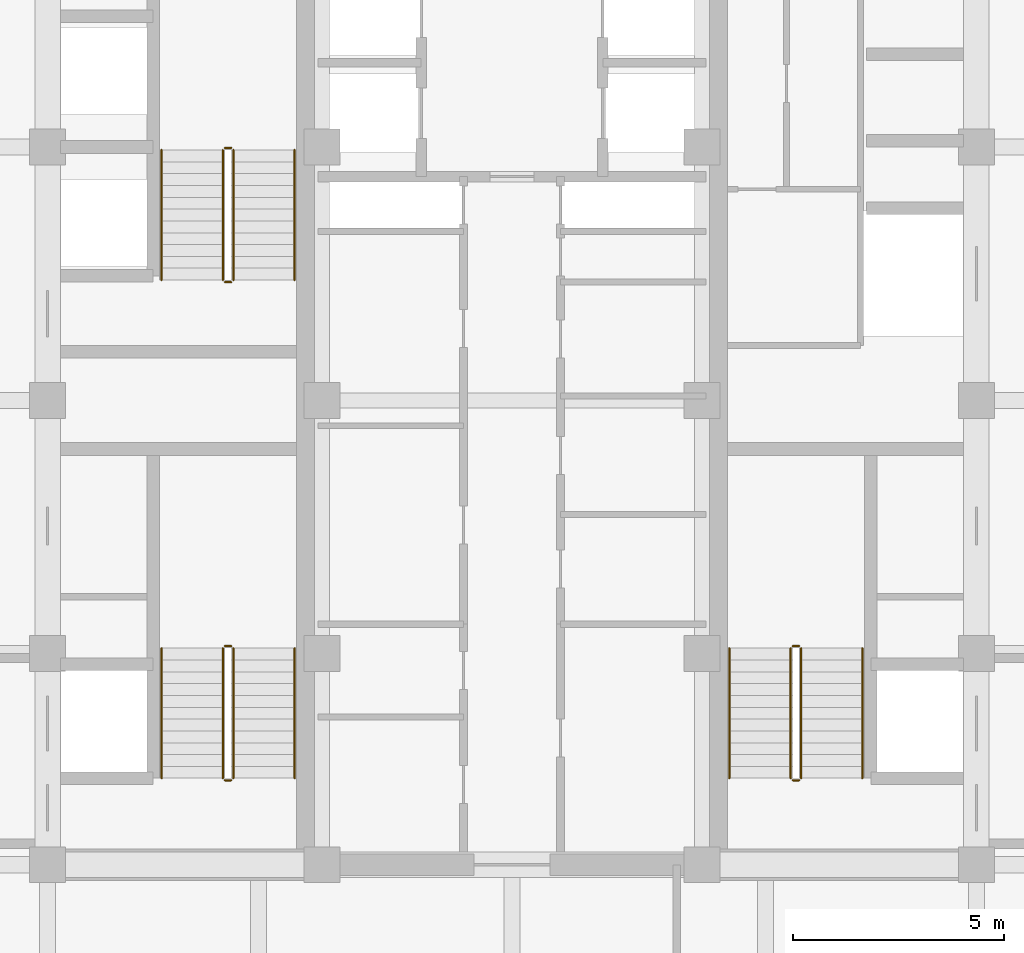
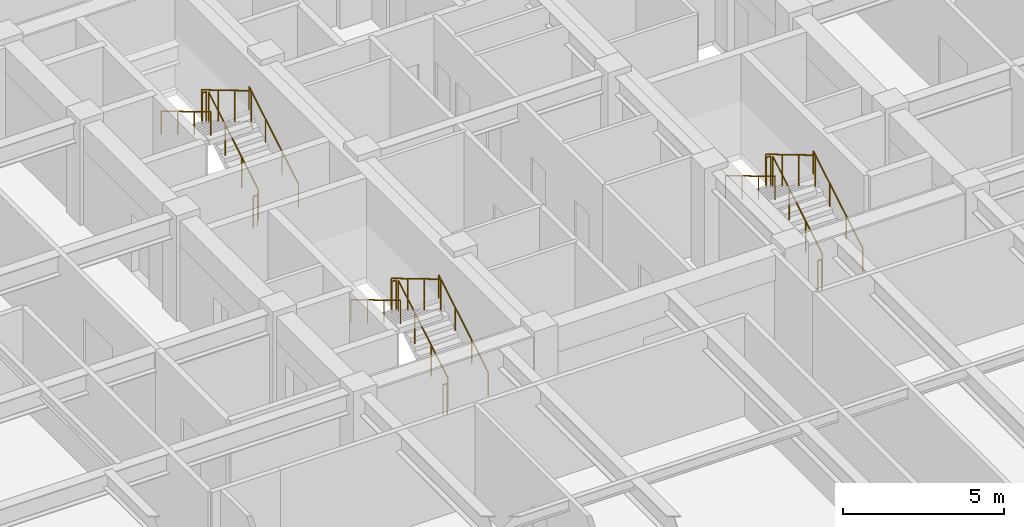
# One storey, part 24 of 24: 18 railings.
"""IFC4 building model written with IfcOpenShell, lengths in metres."""

from ifc_helpers import new_model, si_unit, direction, frame, origin, origin_2d, place, context, subcontext, project, spatial, circle, extrude, source, transform, mapped, material, type_object, element, save


model = new_model("IFC4")

# Units and contexts
model_context = context("Model", 3, precision=1e-05, world=origin(), true_north=direction((0.0, 1.0)))
body_context = subcontext(model_context, "Body", "Model", "MODEL_VIEW")
ifc_project = project(units=[si_unit("LENGTHUNIT", "METRE"), si_unit("AREAUNIT", "SQUARE_METRE"), si_unit("VOLUMEUNIT", "CUBIC_METRE"), si_unit("PLANEANGLEUNIT", "RADIAN"), si_unit("MASSUNIT", "GRAM", prefix="KILO")], contexts=[model_context])

# Site, building, storey
site_placement = place(None, origin())
site = spatial("IfcSite", under=ifc_project, at=site_placement, CompositionType="ELEMENT")
building_placement = place(site_placement, origin())
building = spatial("IfcBuilding", under=site, at=building_placement, Name="Khorayat Bourse Tower", CompositionType="ELEMENT")
storey_placement = place(building_placement, frame((0.0, 0.0, 203.10009765625)))
storey = spatial("IfcBuildingStorey", under=building, at=storey_placement, Name="L47", CompositionType="ELEMENT", Elevation=203.10009765625)

# Railings
ifc_material_1 = material(Name="Powder-coated steel balustrade", Category="steel")
railing_type_1 = type_object("IfcRailingType", Name="RLG-GUARD-1200", PredefinedType="GUARDRAIL", material=ifc_material_1)
shared_shape_1 = source(origin(), body_context, "Body", "SweptSolid", [
    extrude(circle(Radius=0.02392578125, at=origin_2d()), frame((0.0, 0.0, 1.17578125), z_axis=(-1.0, 0.0, 0.0), x_axis=(0.0, -1.0, 0.0)), (0.0, 0.0, 1.0), 0.150146484375),
    extrude(circle(Radius=0.02099609375, at=origin_2d()), origin(), (0.0, 0.0, 1.0), 1.15185546875),
    extrude(circle(Radius=0.02099609375, at=origin_2d()), frame((-0.150146484375, 0.0, 0.0)), (0.0, 0.0, 1.0), 1.15185546875),
])
for number, where, name in (
    (1, (-6.64990234375, -5.820068359375, 2.0), "L47 ST-1 stair guard 2"),
    (2, (-6.64990234375, -9.0, 0.0), "L47 ST-1 stair guard 4"),
    (3, (-6.64990234375, 5.97998046875, 2.0), "L47 ST-2 stair guard 2"),
    (4, (-6.64990234375, 2.800048828125, 0.0), "L47 ST-2 stair guard 4"),
    (5, (6.800048828125, -5.820068359375, 2.0), "L47 ST-3 stair guard 2"),
    (6, (6.800048828125, -9.0, 0.0), "L47 ST-3 stair guard 4"),
):
    element("IfcRailing", number, at=place(storey_placement, frame(where)), inside=storey, type_object=railing_type_1, Name=name, PredefinedType="GUARDRAIL", context=body_context, shape_type="MappedRepresentation", body=[
        mapped(shared_shape_1, transform((0.0, 0.0, 0.0), scale=1.0)),
    ])
shared_shape_2 = source(origin(), body_context, "Body", "SweptSolid", [
    extrude(circle(Radius=0.02392578125, at=origin_2d()), frame((0.0, 0.0, 1.17578125), z_axis=(0.0, 0.859260807169, 0.511537745687), x_axis=(-1.0, 0.0, 0.0)), (0.0, 0.0, 1.0), 3.584228515625),
    extrude(circle(Radius=0.02099609375, at=origin_2d()), origin(), (0.0, 0.0, 1.0), 1.15185546875),
    extrude(circle(Radius=0.02099609375, at=origin_2d()), frame((0.0, 1.026611328125, 0.611083984375)), (0.0, 0.0, 1.0), 1.15185546875),
    extrude(circle(Radius=0.02099609375, at=origin_2d()), frame((0.0, 2.05322265625, 1.222412109375)), (0.0, 0.0, 1.0), 1.15185546875),
    extrude(circle(Radius=0.02099609375, at=origin_2d()), frame((0.0, 3.079833984375, 1.83349609375)), (0.0, 0.0, 1.0), 1.15185546875),
])
for number, where, name in (
    (7, (-6.60009765625, -8.949951171875, 0.16650390625), "L47 ST-1 stair guard 1"),
    (8, (-6.60009765625, 2.85009765625, 0.16650390625), "L47 ST-2 stair guard 1"),
    (9, (6.85009765625, -8.949951171875, 0.16650390625), "L47 ST-3 stair guard 1"),
):
    element("IfcRailing", number, at=place(storey_placement, frame(where)), inside=storey, type_object=railing_type_1, Name=name, PredefinedType="GUARDRAIL", context=body_context, shape_type="MappedRepresentation", body=[
        mapped(shared_shape_2, transform((0.0, 0.0, 0.0), scale=1.0)),
    ])
shared_shape_3 = source(origin(), body_context, "Body", "SweptSolid", [
    extrude(circle(Radius=0.02392578125, at=origin_2d()), frame((0.0, 0.0, 1.17578125), z_axis=(0.0, -0.859260807169, 0.511537745687), x_axis=(1.0, 0.0, 0.0)), (0.0, 0.0, 1.0), 3.584228515625),
    extrude(circle(Radius=0.02099609375, at=origin_2d()), origin(), (0.0, 0.0, 1.0), 1.15185546875),
    extrude(circle(Radius=0.02099609375, at=origin_2d()), frame((0.0, -1.026611328125, 0.611083984375)), (0.0, 0.0, 1.0), 1.15185546875),
    extrude(circle(Radius=0.02099609375, at=origin_2d()), frame((0.0, -2.05322265625, 1.222412109375)), (0.0, 0.0, 1.0), 1.15185546875),
    extrude(circle(Radius=0.02099609375, at=origin_2d()), frame((0.0, -3.079833984375, 1.83349609375)), (0.0, 0.0, 1.0), 1.15185546875),
])
for number, where, name in (
    (10, (-6.85009765625, -5.8701171875, 2.16650390625), "L47 ST-1 stair guard 3"),
    (11, (-6.85009765625, 5.929931640625, 2.16650390625), "L47 ST-2 stair guard 3"),
    (12, (6.60009765625, -5.8701171875, 2.16650390625), "L47 ST-3 stair guard 3"),
):
    element("IfcRailing", number, at=place(storey_placement, frame(where)), inside=storey, type_object=railing_type_1, Name=name, PredefinedType="GUARDRAIL", context=body_context, shape_type="MappedRepresentation", body=[
        mapped(shared_shape_3, transform((0.0, 0.0, 0.0), scale=1.0)),
    ])
ifc_material_2 = material(Name="Brushed bronze stainless-steel handrail", Category="steel")
railing_type_2 = type_object("IfcRailingType", Name="RLG-HAND-900", PredefinedType="HANDRAIL", material=ifc_material_2)
shared_shape_4 = source(origin(), body_context, "Body", "SweptSolid", [
    extrude(circle(Radius=0.02392578125, at=origin_2d()), frame((0.0, 0.0, 0.8759765625), z_axis=(0.0, 0.859260807169, 0.511537745687), x_axis=(-1.0, 0.0, 0.0)), (0.0, 0.0, 1.0), 3.584228515625),
    extrude(circle(Radius=0.02099609375, at=origin_2d()), origin(), (0.0, 0.0, 1.0), 0.851806640625),
    extrude(circle(Radius=0.02099609375, at=origin_2d()), frame((0.0, 1.026611328125, 0.611083984375)), (0.0, 0.0, 1.0), 0.851806640625),
    extrude(circle(Radius=0.02099609375, at=origin_2d()), frame((0.0, 2.05322265625, 1.222412109375)), (0.0, 0.0, 1.0), 0.851806640625),
    extrude(circle(Radius=0.02099609375, at=origin_2d()), frame((0.0, 3.079833984375, 1.83349609375)), (0.0, 0.0, 1.0), 0.851806640625),
])
for number, where, name in (
    (13, (-5.14990234375, -8.949951171875, 0.16650390625), "L47 ST-1 stair handrail 1"),
    (14, (-5.14990234375, 2.85009765625, 0.16650390625), "L47 ST-2 stair handrail 1"),
    (15, (8.300048828125, -8.949951171875, 0.16650390625), "L47 ST-3 stair handrail 1"),
):
    element("IfcRailing", number, at=place(storey_placement, frame(where)), inside=storey, type_object=railing_type_2, Name=name, PredefinedType="HANDRAIL", context=body_context, shape_type="MappedRepresentation", body=[
        mapped(shared_shape_4, transform((0.0, 0.0, 0.0), scale=1.0)),
    ])
shared_shape_5 = source(origin(), body_context, "Body", "SweptSolid", [
    extrude(circle(Radius=0.02392578125, at=origin_2d()), frame((0.0, 0.0, 0.8759765625), z_axis=(0.0, -0.859260807169, 0.511537745687), x_axis=(1.0, 0.0, 0.0)), (0.0, 0.0, 1.0), 3.584228515625),
    extrude(circle(Radius=0.02099609375, at=origin_2d()), origin(), (0.0, 0.0, 1.0), 0.851806640625),
    extrude(circle(Radius=0.02099609375, at=origin_2d()), frame((0.0, -1.026611328125, 0.611083984375)), (0.0, 0.0, 1.0), 0.851806640625),
    extrude(circle(Radius=0.02099609375, at=origin_2d()), frame((0.0, -2.05322265625, 1.222412109375)), (0.0, 0.0, 1.0), 0.851806640625),
    extrude(circle(Radius=0.02099609375, at=origin_2d()), frame((0.0, -3.079833984375, 1.83349609375)), (0.0, 0.0, 1.0), 0.851806640625),
])
for number, where, name in (
    (16, (-8.300048828125, -5.8701171875, 2.16650390625), "L47 ST-1 stair handrail 2"),
    (17, (-8.300048828125, 5.929931640625, 2.16650390625), "L47 ST-2 stair handrail 2"),
    (18, (5.14990234375, -5.8701171875, 2.16650390625), "L47 ST-3 stair handrail 2"),
):
    element("IfcRailing", number, at=place(storey_placement, frame(where)), inside=storey, type_object=railing_type_2, Name=name, PredefinedType="HANDRAIL", context=body_context, shape_type="MappedRepresentation", body=[
        mapped(shared_shape_5, transform((0.0, 0.0, 0.0), scale=1.0)),
    ])

save(model, "model.ifc")
